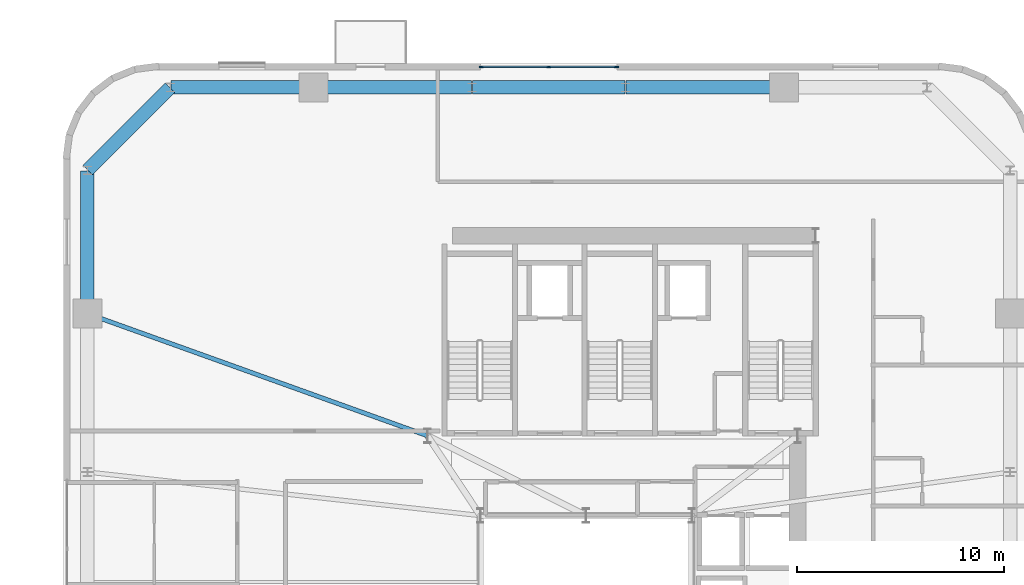
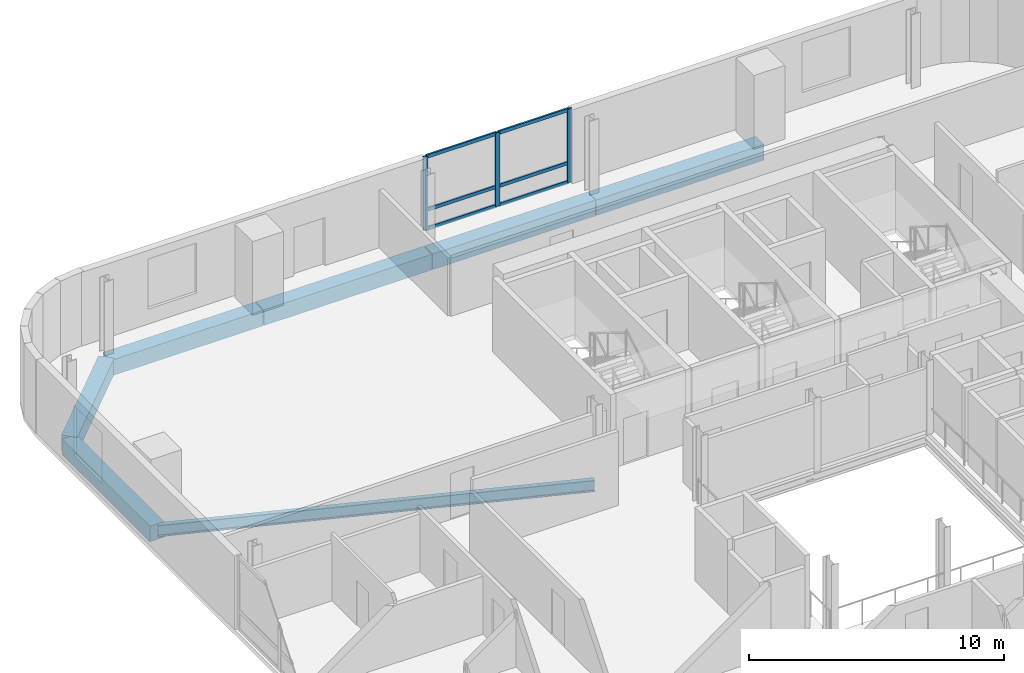
# One storey, part 6 of 16: 9 members, 7 beams, 1 element without a shape of its own.
"""IFC4 building model written with IfcOpenShell, lengths in metres."""

from ifc_helpers import new_model, si_unit, direction, frame, origin, origin_2d, place, context, subcontext, project, spatial, rectangle, i_section, extrude, source, transform, mapped, material, material_profile, profile_set, type_object, element, aggregate, save


model = new_model("IFC4")

# Units and contexts
model_context = context("Model", 3, precision=1e-05, world=origin(), true_north=direction((0.0, 1.0)))
body_context = subcontext(model_context, "Body", "Model", "MODEL_VIEW")
ifc_project = project(units=[si_unit("LENGTHUNIT", "METRE"), si_unit("AREAUNIT", "SQUARE_METRE"), si_unit("VOLUMEUNIT", "CUBIC_METRE"), si_unit("PLANEANGLEUNIT", "RADIAN"), si_unit("MASSUNIT", "GRAM", prefix="KILO")], contexts=[model_context])

# Site, building, storey
site_placement = place(None, origin())
site = spatial("IfcSite", under=ifc_project, at=site_placement, CompositionType="ELEMENT")
building_placement = place(site_placement, origin())
building = spatial("IfcBuilding", under=site, at=building_placement, Name="Vardaveli Station Tower", CompositionType="ELEMENT")
storey_placement = place(building_placement, frame((0.0, 0.0, 199.800048828125)))
storey = spatial("IfcBuildingStorey", under=building, at=storey_placement, Name="L51", CompositionType="ELEMENT", Elevation=199.800048828125)

# Beams
ifc_material_1 = material(Name="Precast concrete C45/55", Category="concrete")
ifc_material_profile_1 = material_profile(ifc_material_1, rectangle(XDim=0.64990234375, YDim=0.75, at=origin_2d()), Name="LPB 650x750")
ifc_profile_set_1 = profile_set([ifc_material_profile_1], Name="Precast concrete C45/55")
beam_type_1 = type_object("IfcBeamType", Name="BM-LPB-750", PredefinedType="BEAM", material=ifc_profile_set_1)
shared_shape_1 = source(origin(), body_context, "Body", "SweptSolid", [
    extrude(rectangle(XDim=0.64990234375, YDim=0.75, at=origin_2d()), origin(), (0.0, 0.0, 1.0), 7.60009765625),
])
for number, where, z_axis, x_axis, name in (
    (1, (45.820068359375, 47.449951171875, -0.594970703125), (-1.0, 0.0, 0.0), (0.0, -1.0, 0.0), "RBM-L51-13"),
    (2, (30.780029296875, 47.449951171875, -0.594970703125), (-1.0, 0.0, 0.0), (0.0, -1.0, 0.0), "RBM-L51-15"),
):
    element("IfcBeam", number, at=place(storey_placement, frame(where, z_axis=z_axis, x_axis=x_axis)), inside=storey, type_object=beam_type_1, Name=name, PredefinedType="BEAM", context=body_context, shape_type="MappedRepresentation", body=[
        mapped(shared_shape_1, transform((0.0, 0.0, 0.0), scale=1.0)),
    ])
shared_shape_2 = source(origin(), body_context, "Body", "SweptSolid", [
    extrude(rectangle(XDim=0.64990234375, YDim=0.75, at=origin_2d()), origin(), (0.0, 0.0, 1.0), 7.35986328125),
])
beam_1_placement = place(storey_placement, frame((38.179931640625, 47.449951171875, -0.594970703125), z_axis=(-1.0, 0.0, 0.0), x_axis=(0.0, -1.0, 0.0)))
element("IfcBeam", 3, at=beam_1_placement, inside=storey, type_object=beam_type_1, Name="RBM-L51-14", PredefinedType="BEAM", context=body_context, shape_type="MappedRepresentation", body=[
    mapped(shared_shape_2, transform((0.0, 0.0, 0.0), scale=1.0)),
])
shared_shape_3 = source(origin(), body_context, "Body", "SweptSolid", [
    extrude(rectangle(XDim=0.64990234375, YDim=0.75, at=origin_2d()), origin(), (0.0, 0.0, 1.0), 6.869873046875),
])
for number, where, z_axis, x_axis, name in (
    (4, (23.139892578125, 47.449951171875, -0.594970703125), (-1.0, 0.0, 0.0), (0.0, -1.0, 0.0), "RBM-L51-16"),
    (5, (12.25, 43.429931640625, -0.594970703125), (0.0, -1.0, 0.0), (1.0, 0.0, 0.0), "RBM-L51-18"),
):
    element("IfcBeam", number, at=place(storey_placement, frame(where, z_axis=z_axis, x_axis=x_axis)), inside=storey, type_object=beam_type_1, Name=name, PredefinedType="BEAM", context=body_context, shape_type="MappedRepresentation", body=[
        mapped(shared_shape_3, transform((0.0, 0.0, 0.0), scale=1.0)),
    ])
shared_shape_4 = source(origin(), body_context, "Body", "SweptSolid", [
    extrude(rectangle(XDim=0.64990234375, YDim=0.75, at=origin_2d()), origin(), (0.0, 0.0, 1.0), 5.61669921875),
])
beam_2_placement = place(storey_placement, frame((16.23583984375, 47.435791015625, -0.594970703125), z_axis=(-0.707106781187, -0.707106781187, 0.0), x_axis=(0.707106781187, -0.707106781187, 0.0)))
element("IfcBeam", 6, at=beam_2_placement, inside=storey, type_object=beam_type_1, Name="RBM-L51-17", PredefinedType="BEAM", context=body_context, shape_type="MappedRepresentation", body=[
    mapped(shared_shape_4, transform((0.0, 0.0, 0.0), scale=1.0)),
])
ifc_material_2 = material(Name="Structural steel S355J2", Category="steel")
ifc_material_profile_2 = material_profile(ifc_material_2, i_section(OverallWidth=0.2099609375, OverallDepth=0.550048828125, WebThickness=0.010986328125, FlangeThickness=0.01708984375, FilletRadius=0.02392578125, at=origin_2d()), Name="IPE 550")
ifc_profile_set_2 = profile_set([ifc_material_profile_2], Name="Structural steel S355J2")
beam_type_2 = type_object("IfcBeamType", Name="BM-IPE550", PredefinedType="BEAM", material=ifc_profile_set_2)
shared_shape_5 = source(origin(), body_context, "Body", "SweptSolid", [
    extrude(i_section(OverallWidth=0.2099609375, OverallDepth=0.550048828125, WebThickness=0.010986328125, FlangeThickness=0.01708984375, FilletRadius=0.02392578125, at=origin_2d()), origin(), (0.0, 0.0, 1.0), 17.385498046875),
])
beam_3_placement = place(storey_placement, frame((12.268798828125, 36.533203125, -0.4951171875), z_axis=(0.941143134401, -0.338008284766, 0.0), x_axis=(0.338008284766, 0.941143134401, 0.0)))
element("IfcBeam", 7, at=beam_3_placement, inside=storey, type_object=beam_type_2, Name="GBM-L51-12", PredefinedType="BEAM", context=body_context, shape_type="MappedRepresentation", body=[
    mapped(shared_shape_5, transform((0.0, 0.0, 0.0), scale=1.0)),
])

# Curtain wall, members
ifc_material_3 = material(Name="Travertine stone and solar-control glass", Category="masonry")
curtain_wall_type = type_object("IfcCurtainWallType", Name="CW-SYS-5", PredefinedType="NOTDEFINED", material=ifc_material_3)
curtain_wall_placement = place(storey_placement, origin())
curtain_wall = element("IfcCurtainWall", 8, at=curtain_wall_placement, inside=storey, type_object=curtain_wall_type, Name="CW-L51-N", PredefinedType="NOTDEFINED")
ifc_material_4 = material(Name="Anodised aluminium alloy 6063-T6", Category="aluminium")
ifc_material_profile_3 = material_profile(ifc_material_4, rectangle(XDim=0.080078125, YDim=0.1650390625, at=origin_2d()), Name="CWT 80x165")
ifc_profile_set_3 = profile_set([ifc_material_profile_3], Name="Anodised aluminium alloy 6063-T6")
member_type_1 = type_object("IfcMemberType", Name="CW-SYS-5-TRAN", PredefinedType="NOTDEFINED", material=ifc_profile_set_3)
shared_shape_6 = source(origin(), body_context, "Body", "SweptSolid", [
    extrude(rectangle(XDim=0.080078125, YDim=0.1650390625, at=origin_2d()), origin(), (0.0, 0.0, 1.0), 3.179931640625),
])
member_1_placement = place(storey_placement, frame((37.719970703125, 48.43994140625, 0.0400390625), z_axis=(-1.0, 0.0, 0.0), x_axis=(0.0, -1.0, 0.0)))
member_1 = element("IfcMember", 9, at=member_1_placement, type_object=member_type_1, Name="CW-5 transom 1.1", ObjectType="TRANSOM", PredefinedType="USERDEFINED", context=body_context, shape_type="MappedRepresentation", body=[
    mapped(shared_shape_6, transform((0.0, 0.0, 0.0), scale=1.0)),
])
member_2_placement = place(storey_placement, frame((37.719970703125, 48.43994140625, 0.949951171875), z_axis=(-1.0, 0.0, 0.0), x_axis=(0.0, -1.0, 0.0)))
member_2 = element("IfcMember", 10, at=member_2_placement, type_object=member_type_1, Name="CW-5 transom 1.2", ObjectType="TRANSOM", PredefinedType="USERDEFINED", context=body_context, shape_type="MappedRepresentation", body=[
    mapped(shared_shape_6, transform((0.0, 0.0, 0.0), scale=1.0)),
])
member_3_placement = place(storey_placement, frame((37.719970703125, 48.43994140625, 3.489990234375), z_axis=(-1.0, 0.0, 0.0), x_axis=(0.0, -1.0, 0.0)))
member_3 = element("IfcMember", 11, at=member_3_placement, type_object=member_type_1, Name="CW-5 transom 1.3", ObjectType="TRANSOM", PredefinedType="USERDEFINED", context=body_context, shape_type="MappedRepresentation", body=[
    mapped(shared_shape_6, transform((0.0, 0.0, 0.0), scale=1.0)),
])
member_4_placement = place(storey_placement, frame((34.4599609375, 48.43994140625, 0.0400390625), z_axis=(-1.0, 0.0, 0.0), x_axis=(0.0, -1.0, 0.0)))
member_4 = element("IfcMember", 12, at=member_4_placement, type_object=member_type_1, Name="CW-5 transom 2.1", ObjectType="TRANSOM", PredefinedType="USERDEFINED", context=body_context, shape_type="MappedRepresentation", body=[
    mapped(shared_shape_6, transform((0.0, 0.0, 0.0), scale=1.0)),
])
member_5_placement = place(storey_placement, frame((34.4599609375, 48.43994140625, 0.949951171875), z_axis=(-1.0, 0.0, 0.0), x_axis=(0.0, -1.0, 0.0)))
member_5 = element("IfcMember", 13, at=member_5_placement, type_object=member_type_1, Name="CW-5 transom 2.2", ObjectType="TRANSOM", PredefinedType="USERDEFINED", context=body_context, shape_type="MappedRepresentation", body=[
    mapped(shared_shape_6, transform((0.0, 0.0, 0.0), scale=1.0)),
])
member_6_placement = place(storey_placement, frame((34.4599609375, 48.43994140625, 3.489990234375), z_axis=(-1.0, 0.0, 0.0), x_axis=(0.0, -1.0, 0.0)))
member_6 = element("IfcMember", 14, at=member_6_placement, type_object=member_type_1, Name="CW-5 transom 2.3", ObjectType="TRANSOM", PredefinedType="USERDEFINED", context=body_context, shape_type="MappedRepresentation", body=[
    mapped(shared_shape_6, transform((0.0, 0.0, 0.0), scale=1.0)),
])
ifc_material_profile_4 = material_profile(ifc_material_4, rectangle(XDim=0.080078125, YDim=0.205078125, at=origin_2d()), Name="CWM 80x205")
ifc_profile_set_4 = profile_set([ifc_material_profile_4], Name="Anodised aluminium alloy 6063-T6")
member_type_2 = type_object("IfcMemberType", Name="CW-SYS-5-MULL", PredefinedType="MULLION", material=ifc_profile_set_4)
shared_shape_7 = source(origin(), body_context, "Body", "SweptSolid", [
    extrude(rectangle(XDim=0.080078125, YDim=0.205078125, at=origin_2d()), origin(), (0.0, 0.0, 1.0), 3.530029296875),
])
member_7_placement = place(storey_placement, frame((37.760009765625, 48.43994140625, 0.0), z_axis=(0.0, 0.0, 1.0), x_axis=(0.0, -1.0, 0.0)))
member_7 = element("IfcMember", 15, at=member_7_placement, type_object=member_type_2, Name="CW-5 mullion 1", PredefinedType="MULLION", context=body_context, shape_type="MappedRepresentation", body=[
    mapped(shared_shape_7, transform((0.0, 0.0, 0.0), scale=1.0)),
])
member_8_placement = place(storey_placement, frame((34.5, 48.43994140625, 0.0), z_axis=(0.0, 0.0, 1.0), x_axis=(0.0, -1.0, 0.0)))
member_8 = element("IfcMember", 16, at=member_8_placement, type_object=member_type_2, Name="CW-5 mullion 2", PredefinedType="MULLION", context=body_context, shape_type="MappedRepresentation", body=[
    mapped(shared_shape_7, transform((0.0, 0.0, 0.0), scale=1.0)),
])
member_9_placement = place(storey_placement, frame((31.239990234375, 48.43994140625, 0.0), z_axis=(0.0, 0.0, 1.0), x_axis=(0.0, -1.0, 0.0)))
member_9 = element("IfcMember", 17, at=member_9_placement, type_object=member_type_2, Name="CW-5 mullion 3", PredefinedType="MULLION", context=body_context, shape_type="MappedRepresentation", body=[
    mapped(shared_shape_7, transform((0.0, 0.0, 0.0), scale=1.0)),
])
aggregate(curtain_wall, [member_7, member_8, member_9, member_1, member_2, member_3, member_4, member_5, member_6])

save(model, "model.ifc")
